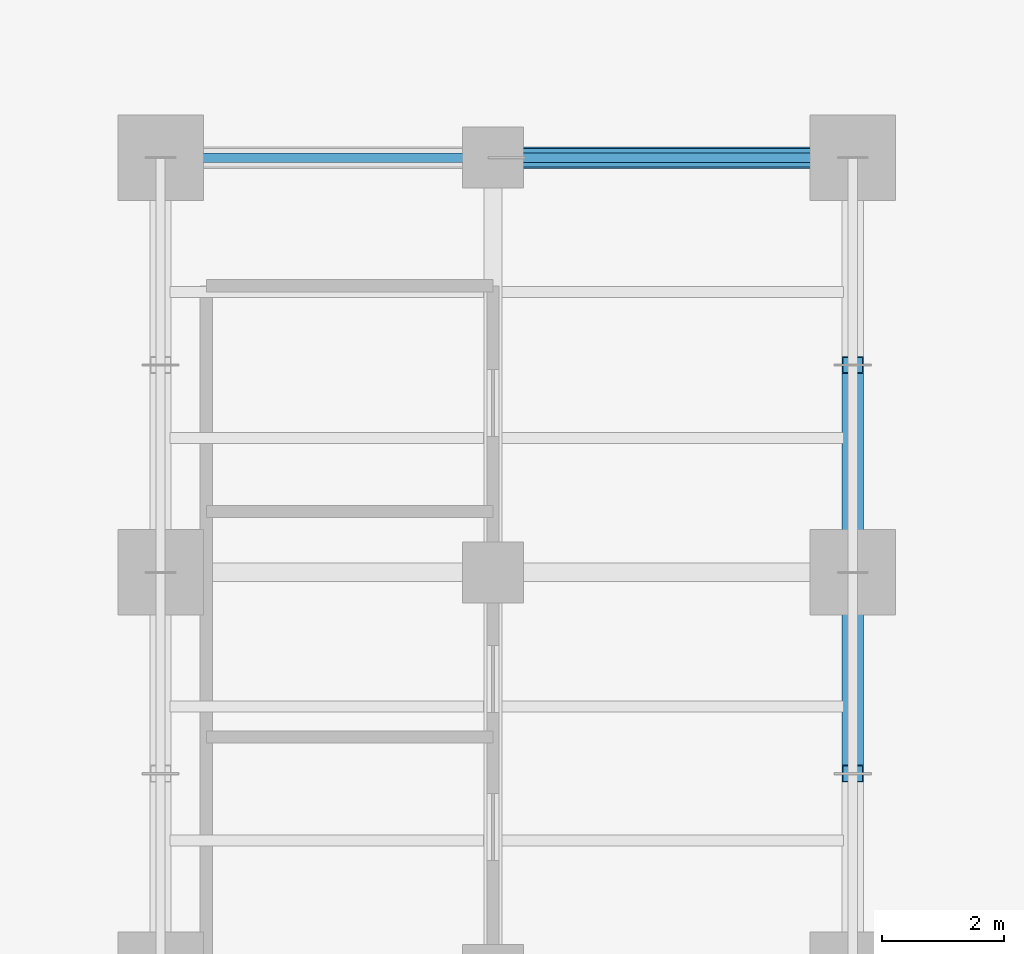
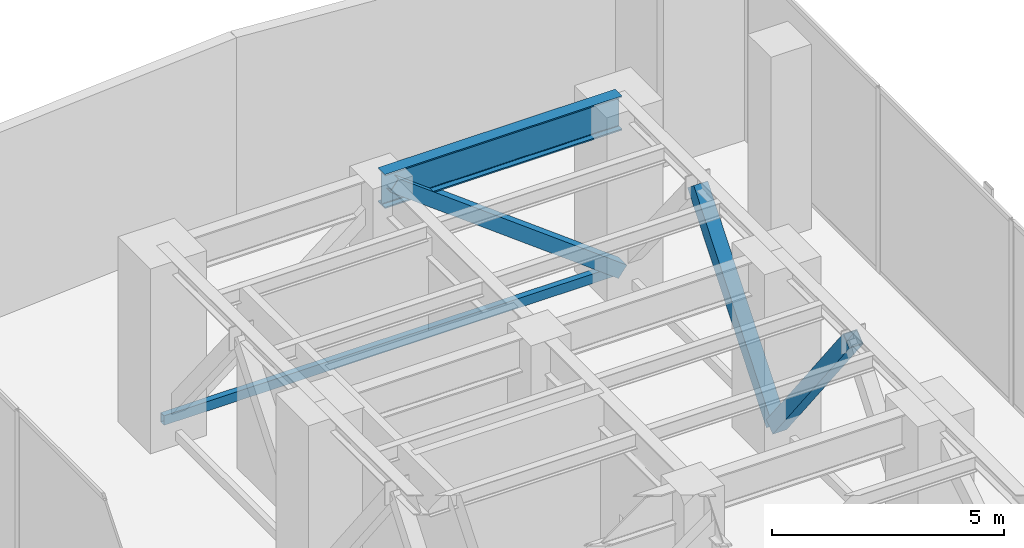
# One storey, part 23 of 37: 4 members, 1 beam.
"""IFC4 building model written with IfcOpenShell, lengths in metres."""

from ifc_helpers import new_model, si_unit, direction, frame, origin, origin_2d, place, context, subcontext, project, spatial, hollow_rectangle, i_section, extrude, material, material_profile, profile_set, type_object, element, save


model = new_model("IFC4")

# Units and contexts
model_context = context("Model", 3, precision=1e-05, world=origin(), true_north=direction((0.0, 1.0)))
body_context = subcontext(model_context, "Body", "Model", "MODEL_VIEW")
ifc_project = project(units=[si_unit("LENGTHUNIT", "METRE"), si_unit("AREAUNIT", "SQUARE_METRE"), si_unit("VOLUMEUNIT", "CUBIC_METRE"), si_unit("PLANEANGLEUNIT", "RADIAN"), si_unit("MASSUNIT", "GRAM", prefix="KILO")], contexts=[model_context])

# Site, building, storey
site_placement = place(None, origin())
site = spatial("IfcSite", under=ifc_project, at=site_placement, CompositionType="ELEMENT")
building_placement = place(site_placement, origin())
building = spatial("IfcBuilding", under=site, at=building_placement, Name="Kolvaren Waterfront Exchange", CompositionType="ELEMENT")
storey_placement = place(building_placement, frame((0.0, 0.0, 141.10009765625)))
storey = spatial("IfcBuildingStorey", under=building, at=storey_placement, Name="L36", CompositionType="ELEMENT", Elevation=141.10009765625)

# Beam
ifc_material_1 = material(Name="Steel S355", Category="steel")
ifc_material_profile_1 = material_profile(ifc_material_1, i_section(OverallWidth=0.300048828125, OverallDepth=0.89990234375, WebThickness=0.0185546875, FlangeThickness=0.034912109375, FilletRadius=0.030029296875, at=origin_2d()), Name="HEB900")
ifc_profile_set_1 = profile_set([ifc_material_profile_1], Name="Steel S355")
beam_type = type_object("IfcBeamType", Name="STR-BM-HEB900", PredefinedType="BEAM", material=ifc_profile_set_1)
beam_placement = place(storey_placement, frame((12.89990234375, 44.60009765625, 4.409912109375), z_axis=(1.0, 0.0, 0.0), x_axis=(0.0, 1.0, 0.0)))
element("IfcBeam", 1, at=beam_placement, inside=storey, type_object=beam_type, Name="L36 north-arm girder 4B", PredefinedType="BEAM", context=body_context, shape_type="SweptSolid", body=[
    extrude(i_section(OverallWidth=0.300048828125, OverallDepth=0.89990234375, WebThickness=0.0185546875, FlangeThickness=0.034912109375, FilletRadius=0.030029296875, at=origin_2d()), origin(), (0.0, 0.0, 1.0), 5.900146484375),
])

# Members
ifc_material_2 = material(Name="Steel S460", Category="steel")
ifc_material_profile_2 = material_profile(ifc_material_2, hollow_rectangle(XDim=0.14990234375, YDim=0.25, WallThickness=0.010009765625, at=origin_2d()), Name="RHS250x150x10")
ifc_profile_set_2 = profile_set([ifc_material_profile_2], Name="Steel S460")
member_type_1 = type_object("IfcMemberType", Name="STR-BR-RHS250", PredefinedType="CHORD", material=ifc_profile_set_2)
member_1_placement = place(storey_placement, frame((7.449951171875, 44.60009765625, 0.25), z_axis=(1.0, 0.0, 0.0), x_axis=(0.0, 1.0, 0.0)))
element("IfcMember", 2, at=member_1_placement, inside=storey, type_object=member_type_1, Name="L36 belt-truss bottom chord BT8", PredefinedType="CHORD", context=body_context, shape_type="SweptSolid", body=[
    extrude(hollow_rectangle(XDim=0.14990234375, YDim=0.25, WallThickness=0.010009765625, at=origin_2d()), origin(), (0.0, 0.0, 1.0), 11.35009765625),
])
ifc_material_profile_3 = material_profile(ifc_material_2, hollow_rectangle(XDim=0.35009765625, YDim=0.35009765625, WallThickness=0.01611328125, at=origin_2d()), Name="SHS350x350x16")
ifc_profile_set_3 = profile_set([ifc_material_profile_3], Name="Steel S460")
member_type_2 = type_object("IfcMemberType", Name="STR-BR-SHS350", PredefinedType="BRACE", material=ifc_profile_set_3)
member_2_placement = place(storey_placement, frame((18.800048828125, 37.800048828125, 0.25), z_axis=(0.0, -0.612402527517, 0.790546105101), x_axis=(1.0, 0.0, 0.0)))
element("IfcMember", 3, at=member_2_placement, inside=storey, type_object=member_type_2, Name="L36 belt-truss chevron brace BT6R", PredefinedType="BRACE", context=body_context, shape_type="SweptSolid", body=[
    extrude(hollow_rectangle(XDim=0.35009765625, YDim=0.35009765625, WallThickness=0.01611328125, at=origin_2d()), origin(), (0.0, 0.0, 1.0), 5.388671875),
])
member_3_placement = place(storey_placement, frame((18.800048828125, 37.800048828125, 0.25), z_axis=(0.0, 0.62378784047, 0.781593711644), x_axis=(-1.0, 0.0, 0.0)))
element("IfcMember", 4, at=member_3_placement, inside=storey, type_object=member_type_2, Name="L36 belt-truss chevron brace BT7L", PredefinedType="BRACE", context=body_context, shape_type="SweptSolid", body=[
    extrude(hollow_rectangle(XDim=0.35009765625, YDim=0.35009765625, WallThickness=0.01611328125, at=origin_2d()), origin(), (0.0, 0.0, 1.0), 5.450439453125),
])
member_4_placement = place(storey_placement, frame((18.800048828125, 44.60009765625, 0.25), z_axis=(-0.799748083711, 0.0, 0.600335741565), x_axis=(0.0, -1.0, 0.0)))
element("IfcMember", 5, at=member_4_placement, inside=storey, type_object=member_type_2, Name="L36 belt-truss chevron brace BT8R", PredefinedType="BRACE", context=body_context, shape_type="SweptSolid", body=[
    extrude(hollow_rectangle(XDim=0.35009765625, YDim=0.35009765625, WallThickness=0.01611328125, at=origin_2d()), origin(), (0.0, 0.0, 1.0), 7.095947265625),
])

save(model, "model.ifc")
